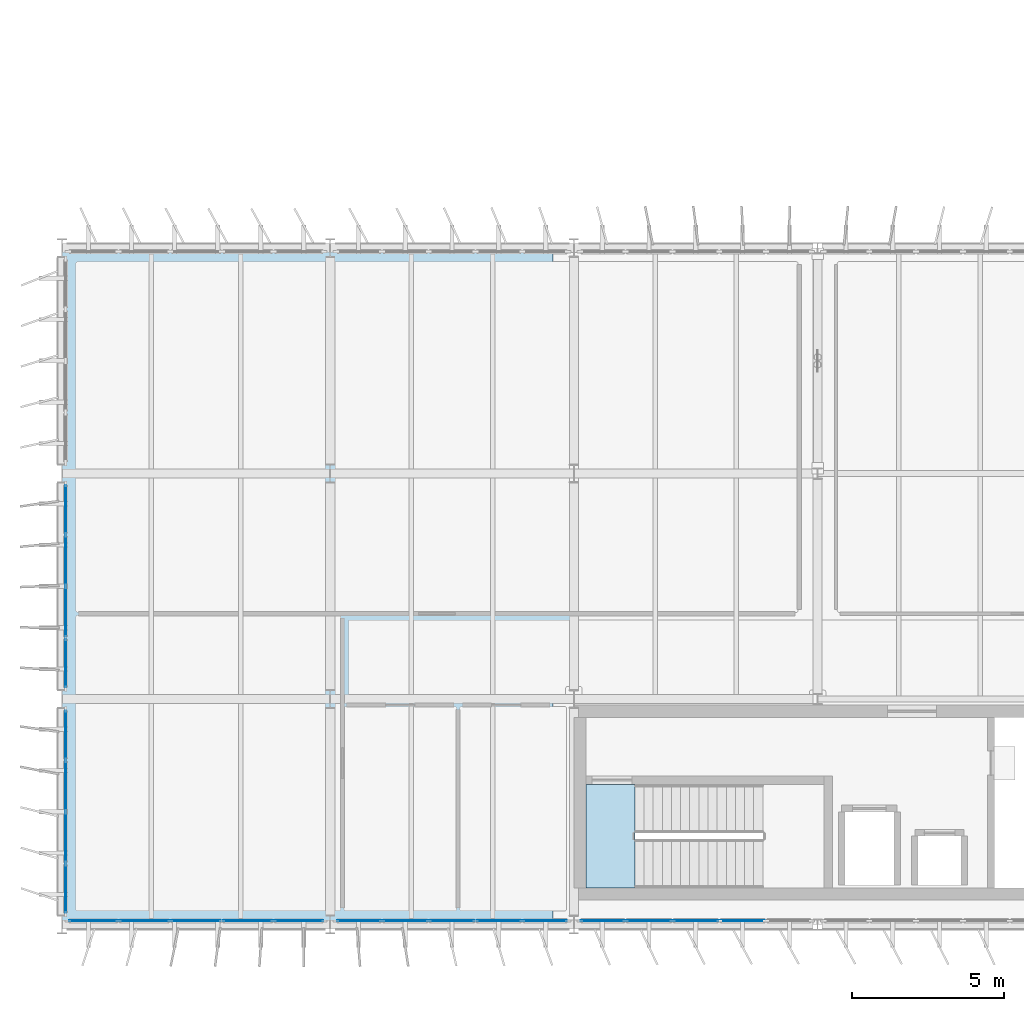
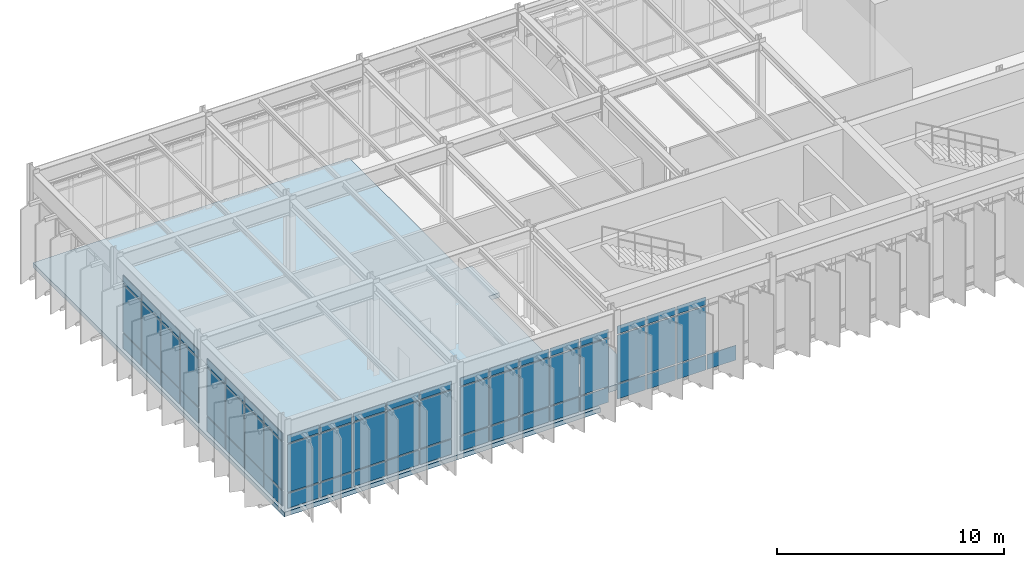
# One storey, part 25 of 48: 64 plates, 2 slabs, 5 elements without a shape of their own.
"""IFC4 building model written with IfcOpenShell, lengths in metres."""

from ifc_helpers import new_model, si_unit, direction, frame, origin, origin_2d, place, context, subcontext, project, spatial, polyline, rectangle, outline, extrude, material, layer, layer_set, type_object, element, aggregate, save


model = new_model("IFC4")

# Units and contexts
model_context = context("Model", 3, precision=1e-05, world=origin(), true_north=direction((0.0, 1.0)))
body_context = subcontext(model_context, "Body", "Model", "MODEL_VIEW")
ifc_project = project(units=[si_unit("LENGTHUNIT", "METRE"), si_unit("AREAUNIT", "SQUARE_METRE"), si_unit("VOLUMEUNIT", "CUBIC_METRE"), si_unit("PLANEANGLEUNIT", "RADIAN"), si_unit("MASSUNIT", "GRAM", prefix="KILO")], contexts=[model_context])

# Site, building, storey
site_placement = place(None, origin())
site = spatial("IfcSite", under=ifc_project, at=site_placement, CompositionType="ELEMENT")
building_placement = place(site_placement, origin())
building = spatial("IfcBuilding", under=site, at=building_placement, Name="Valkorina Park Police Headquarters", CompositionType="ELEMENT")
storey_placement = place(building_placement, frame((0.0, 0.0, 18.10009765625)))
storey = spatial("IfcBuildingStorey", under=building, at=storey_placement, Name="L05", CompositionType="ELEMENT", Elevation=18.10009765625)

# Curtain wall, plates
ifc_material_1 = material(Name="Thermally broken aluminium AW-6060", Category="aluminium")
ifc_layer_1 = layer(ifc_material_1, 0.18994140625)
ifc_layer_set_1 = layer_set([ifc_layer_1], Name="Thermally broken aluminium AW-6060")
curtain_wall_type_1 = type_object("IfcCurtainWallType", Name="CW-V5-7680x4070", PredefinedType="NOTDEFINED", material=ifc_layer_set_1)
curtain_wall_1_placement = place(storey_placement, origin())
curtain_wall_1 = element("IfcCurtainWall", 1, at=curtain_wall_1_placement, inside=storey, type_object=curtain_wall_type_1, Name="L05 Unitised Curtain Wall 072", PredefinedType="NOTDEFINED")
ifc_layer_2 = layer(ifc_material_1, 0.050048828125)
ifc_layer_set_2 = layer_set([ifc_layer_2], Name="Thermally broken aluminium AW-6060")
plate_type_1 = type_object("IfcPlateType", Name="PL-CWP-SPANDREL-50", PredefinedType="CURTAIN_PANEL", material=ifc_layer_set_2)
plate_1_placement = place(storey_placement, frame((22.3359375, 37.1201171875, 0.06982421875), z_axis=(0.0, 0.0, 1.0), x_axis=(-1.0, 0.0, 0.0)))
plate_1 = element("IfcPlate", 2, at=plate_1_placement, type_object=plate_type_1, Name="CW-V5-768-407 panel 2.1", PredefinedType="CURTAIN_PANEL", context=body_context, shape_type="SweptSolid", body=[
    extrude(rectangle(XDim=1.466064453125, YDim=0.028076171875, at=origin_2d()), origin(), (0.0, 0.0, 1.0), 0.794921875),
])
plate_2_placement = place(storey_placement, frame((20.800048828125, 37.1201171875, 0.06982421875), z_axis=(0.0, 0.0, 1.0), x_axis=(-1.0, 0.0, 0.0)))
plate_2 = element("IfcPlate", 3, at=plate_2_placement, type_object=plate_type_1, Name="CW-V5-768-407 panel 3.1", PredefinedType="CURTAIN_PANEL", context=body_context, shape_type="SweptSolid", body=[
    extrude(rectangle(XDim=1.466064453125, YDim=0.028076171875, at=origin_2d()), origin(), (0.0, 0.0, 1.0), 0.794921875),
])
plate_3_placement = place(storey_placement, frame((19.263916015625, 37.1201171875, 0.06982421875), z_axis=(0.0, 0.0, 1.0), x_axis=(-1.0, 0.0, 0.0)))
plate_3 = element("IfcPlate", 4, at=plate_3_placement, type_object=plate_type_1, Name="CW-V5-768-407 panel 4.1", PredefinedType="CURTAIN_PANEL", context=body_context, shape_type="SweptSolid", body=[
    extrude(rectangle(XDim=1.466064453125, YDim=0.028076171875, at=origin_2d()), origin(), (0.0, 0.0, 1.0), 0.794921875),
])
plate_4_placement = place(storey_placement, frame((17.74560546875, 37.1201171875, 0.06982421875), z_axis=(0.0, 0.0, 1.0), x_axis=(-1.0, 0.0, 0.0)))
plate_4 = element("IfcPlate", 5, at=plate_4_placement, type_object=plate_type_1, Name="CW-V5-768-407 panel 5.1", PredefinedType="CURTAIN_PANEL", context=body_context, shape_type="SweptSolid", body=[
    extrude(rectangle(XDim=1.430908203125, YDim=0.028076171875, at=origin_2d()), origin(), (0.0, 0.0, 1.0), 0.794921875),
])

curtain_wall_2_placement = place(storey_placement, origin())
curtain_wall_2 = element("IfcCurtainWall", 6, at=curtain_wall_2_placement, inside=storey, type_object=curtain_wall_type_1, Name="L05 Unitised Curtain Wall 073", PredefinedType="NOTDEFINED")
plate_5_placement = place(storey_placement, frame((15.8544921875, 37.1201171875, 0.06982421875), z_axis=(0.0, 0.0, 1.0), x_axis=(-1.0, 0.0, 0.0)))
plate_5 = element("IfcPlate", 7, at=plate_5_placement, type_object=plate_type_1, Name="CW-V5-768-407 panel 1.1", PredefinedType="CURTAIN_PANEL", context=body_context, shape_type="SweptSolid", body=[
    extrude(rectangle(XDim=1.430908203125, YDim=0.028076171875, at=origin_2d()), origin(), (0.0, 0.0, 1.0), 0.794921875),
])
plate_6_placement = place(storey_placement, frame((14.3359375, 37.1201171875, 0.06982421875), z_axis=(0.0, 0.0, 1.0), x_axis=(-1.0, 0.0, 0.0)))
plate_6 = element("IfcPlate", 8, at=plate_6_placement, type_object=plate_type_1, Name="CW-V5-768-407 panel 2.1", PredefinedType="CURTAIN_PANEL", context=body_context, shape_type="SweptSolid", body=[
    extrude(rectangle(XDim=1.466064453125, YDim=0.028076171875, at=origin_2d()), origin(), (0.0, 0.0, 1.0), 0.794921875),
])
plate_7_placement = place(storey_placement, frame((12.800048828125, 37.1201171875, 0.06982421875), z_axis=(0.0, 0.0, 1.0), x_axis=(-1.0, 0.0, 0.0)))
plate_7 = element("IfcPlate", 9, at=plate_7_placement, type_object=plate_type_1, Name="CW-V5-768-407 panel 3.1", PredefinedType="CURTAIN_PANEL", context=body_context, shape_type="SweptSolid", body=[
    extrude(rectangle(XDim=1.466064453125, YDim=0.028076171875, at=origin_2d()), origin(), (0.0, 0.0, 1.0), 0.794921875),
])
plate_8_placement = place(storey_placement, frame((11.263916015625, 37.1201171875, 0.06982421875), z_axis=(0.0, 0.0, 1.0), x_axis=(-1.0, 0.0, 0.0)))
plate_8 = element("IfcPlate", 10, at=plate_8_placement, type_object=plate_type_1, Name="CW-V5-768-407 panel 4.1", PredefinedType="CURTAIN_PANEL", context=body_context, shape_type="SweptSolid", body=[
    extrude(rectangle(XDim=1.466064453125, YDim=0.028076171875, at=origin_2d()), origin(), (0.0, 0.0, 1.0), 0.794921875),
])
plate_9_placement = place(storey_placement, frame((9.74560546875, 37.1201171875, 0.06982421875), z_axis=(0.0, 0.0, 1.0), x_axis=(-1.0, 0.0, 0.0)))
plate_9 = element("IfcPlate", 11, at=plate_9_placement, type_object=plate_type_1, Name="CW-V5-768-407 panel 5.1", PredefinedType="CURTAIN_PANEL", context=body_context, shape_type="SweptSolid", body=[
    extrude(rectangle(XDim=1.430908203125, YDim=0.028076171875, at=origin_2d()), origin(), (0.0, 0.0, 1.0), 0.794921875),
])

ifc_layer_3 = layer(ifc_material_1, 0.18994140625)
ifc_layer_set_3 = layer_set([ifc_layer_3], Name="Thermally broken aluminium AW-6060")
curtain_wall_type_2 = type_object("IfcCurtainWallType", Name="CW-V5-8480x4070", PredefinedType="NOTDEFINED", material=ifc_layer_set_3)
curtain_wall_3_placement = place(storey_placement, origin())
curtain_wall_3 = element("IfcCurtainWall", 12, at=curtain_wall_3_placement, inside=storey, type_object=curtain_wall_type_2, Name="L05 Unitised Curtain Wall 074", PredefinedType="NOTDEFINED")
plate_10_placement = place(storey_placement, frame((7.7744140625, 37.1201171875, 0.06982421875), z_axis=(0.0, 0.0, 1.0), x_axis=(-1.0, 0.0, 0.0)))
plate_10 = element("IfcPlate", 13, at=plate_10_placement, type_object=plate_type_1, Name="CW-V5-848-407 panel 1.1", PredefinedType="CURTAIN_PANEL", context=body_context, shape_type="SweptSolid", body=[
    extrude(rectangle(XDim=1.591064453125, YDim=0.028076171875, at=origin_2d()), origin(), (0.0, 0.0, 1.0), 0.794921875),
])
plate_11_placement = place(storey_placement, frame((6.095947265625, 37.1201171875, 0.06982421875), z_axis=(0.0, 0.0, 1.0), x_axis=(-1.0, 0.0, 0.0)))
plate_11 = element("IfcPlate", 14, at=plate_11_placement, type_object=plate_type_1, Name="CW-V5-848-407 panel 2.1", PredefinedType="CURTAIN_PANEL", context=body_context, shape_type="SweptSolid", body=[
    extrude(rectangle(XDim=1.6259765625, YDim=0.028076171875, at=origin_2d()), origin(), (0.0, 0.0, 1.0), 0.794921875),
])
plate_12_placement = place(storey_placement, frame((4.39990234375, 37.1201171875, 0.06982421875), z_axis=(0.0, 0.0, 1.0), x_axis=(-1.0, 0.0, 0.0)))
plate_12 = element("IfcPlate", 15, at=plate_12_placement, type_object=plate_type_1, Name="CW-V5-848-407 panel 3.1", PredefinedType="CURTAIN_PANEL", context=body_context, shape_type="SweptSolid", body=[
    extrude(rectangle(XDim=1.6259765625, YDim=0.028076171875, at=origin_2d()), origin(), (0.0, 0.0, 1.0), 0.794921875),
])
plate_13_placement = place(storey_placement, frame((2.7041015625, 37.1201171875, 0.06982421875), z_axis=(0.0, 0.0, 1.0), x_axis=(-1.0, 0.0, 0.0)))
plate_13 = element("IfcPlate", 16, at=plate_13_placement, type_object=plate_type_1, Name="CW-V5-848-407 panel 4.1", PredefinedType="CURTAIN_PANEL", context=body_context, shape_type="SweptSolid", body=[
    extrude(rectangle(XDim=1.6259765625, YDim=0.028076171875, at=origin_2d()), origin(), (0.0, 0.0, 1.0), 0.794921875),
])
plate_14_placement = place(storey_placement, frame((1.025390625, 37.1201171875, 0.06982421875), z_axis=(0.0, 0.0, 1.0), x_axis=(-1.0, 0.0, 0.0)))
plate_14 = element("IfcPlate", 17, at=plate_14_placement, type_object=plate_type_1, Name="CW-V5-848-407 panel 5.1", PredefinedType="CURTAIN_PANEL", context=body_context, shape_type="SweptSolid", body=[
    extrude(rectangle(XDim=1.591064453125, YDim=0.028076171875, at=origin_2d()), origin(), (0.0, 0.0, 1.0), 0.794921875),
])

ifc_layer_4 = layer(ifc_material_1, 0.18994140625)
ifc_layer_set_4 = layer_set([ifc_layer_4], Name="Thermally broken aluminium AW-6060")
curtain_wall_type_3 = type_object("IfcCurtainWallType", Name="CW-V5-6780x4070", PredefinedType="NOTDEFINED", material=ifc_layer_set_4)
curtain_wall_4_placement = place(storey_placement, origin())
curtain_wall_4 = element("IfcCurtainWall", 18, at=curtain_wall_4_placement, inside=storey, type_object=curtain_wall_type_3, Name="L05 Unitised Curtain Wall 075", PredefinedType="NOTDEFINED")
plate_15_placement = place(storey_placement, frame((0.1201171875, 38.175048828125, 0.06982421875), z_axis=(0.0, 0.0, 1.0), x_axis=(0.0, 1.0, 0.0)))
plate_15 = element("IfcPlate", 19, at=plate_15_placement, type_object=plate_type_1, Name="CW-V5-678-407 panel 1.1", PredefinedType="CURTAIN_PANEL", context=body_context, shape_type="SweptSolid", body=[
    extrude(rectangle(XDim=1.590087890625, YDim=0.028076171875, at=origin_2d()), origin(), (0.0, 0.0, 1.0), 0.794921875),
])
plate_16_placement = place(storey_placement, frame((0.1201171875, 39.8525390625, 0.06982421875), z_axis=(0.0, 0.0, 1.0), x_axis=(0.0, 1.0, 0.0)))
plate_16 = element("IfcPlate", 20, at=plate_16_placement, type_object=plate_type_1, Name="CW-V5-678-407 panel 2.1", PredefinedType="CURTAIN_PANEL", context=body_context, shape_type="SweptSolid", body=[
    extrude(rectangle(XDim=1.625, YDim=0.028076171875, at=origin_2d()), origin(), (0.0, 0.0, 1.0), 0.794921875),
])
plate_17_placement = place(storey_placement, frame((0.1201171875, 41.547607421875, 0.06982421875), z_axis=(0.0, 0.0, 1.0), x_axis=(0.0, 1.0, 0.0)))
plate_17 = element("IfcPlate", 21, at=plate_17_placement, type_object=plate_type_1, Name="CW-V5-678-407 panel 3.1", PredefinedType="CURTAIN_PANEL", context=body_context, shape_type="SweptSolid", body=[
    extrude(rectangle(XDim=1.625, YDim=0.028076171875, at=origin_2d()), origin(), (0.0, 0.0, 1.0), 0.794921875),
])
plate_18_placement = place(storey_placement, frame((0.1201171875, 43.22509765625, 0.06982421875), z_axis=(0.0, 0.0, 1.0), x_axis=(0.0, 1.0, 0.0)))
plate_18 = element("IfcPlate", 22, at=plate_18_placement, type_object=plate_type_1, Name="CW-V5-678-407 panel 4.1", PredefinedType="CURTAIN_PANEL", context=body_context, shape_type="SweptSolid", body=[
    extrude(rectangle(XDim=1.590087890625, YDim=0.028076171875, at=origin_2d()), origin(), (0.0, 0.0, 1.0), 0.794921875),
])

curtain_wall_5_placement = place(storey_placement, origin())
curtain_wall_5 = element("IfcCurtainWall", 23, at=curtain_wall_5_placement, inside=storey, type_object=curtain_wall_type_3, Name="L05 Unitised Curtain Wall 076", PredefinedType="NOTDEFINED")
plate_19_placement = place(storey_placement, frame((0.1201171875, 45.574951171875, 0.06982421875), z_axis=(0.0, 0.0, 1.0), x_axis=(0.0, 1.0, 0.0)))
plate_19 = element("IfcPlate", 24, at=plate_19_placement, type_object=plate_type_1, Name="CW-V5-678-407 panel 1.1", PredefinedType="CURTAIN_PANEL", context=body_context, shape_type="SweptSolid", body=[
    extrude(rectangle(XDim=1.590087890625, YDim=0.028076171875, at=origin_2d()), origin(), (0.0, 0.0, 1.0), 0.794921875),
])
plate_20_placement = place(storey_placement, frame((0.1201171875, 47.25244140625, 0.06982421875), z_axis=(0.0, 0.0, 1.0), x_axis=(0.0, 1.0, 0.0)))
plate_20 = element("IfcPlate", 25, at=plate_20_placement, type_object=plate_type_1, Name="CW-V5-678-407 panel 2.1", PredefinedType="CURTAIN_PANEL", context=body_context, shape_type="SweptSolid", body=[
    extrude(rectangle(XDim=1.625, YDim=0.028076171875, at=origin_2d()), origin(), (0.0, 0.0, 1.0), 0.794921875),
])
plate_21_placement = place(storey_placement, frame((0.1201171875, 48.947509765625, 0.06982421875), z_axis=(0.0, 0.0, 1.0), x_axis=(0.0, 1.0, 0.0)))
plate_21 = element("IfcPlate", 26, at=plate_21_placement, type_object=plate_type_1, Name="CW-V5-678-407 panel 3.1", PredefinedType="CURTAIN_PANEL", context=body_context, shape_type="SweptSolid", body=[
    extrude(rectangle(XDim=1.625, YDim=0.028076171875, at=origin_2d()), origin(), (0.0, 0.0, 1.0), 0.794921875),
])
plate_22_placement = place(storey_placement, frame((0.1201171875, 50.625, 0.06982421875), z_axis=(0.0, 0.0, 1.0), x_axis=(0.0, 1.0, 0.0)))
plate_22 = element("IfcPlate", 27, at=plate_22_placement, type_object=plate_type_1, Name="CW-V5-678-407 panel 4.1", PredefinedType="CURTAIN_PANEL", context=body_context, shape_type="SweptSolid", body=[
    extrude(rectangle(XDim=1.590087890625, YDim=0.028076171875, at=origin_2d()), origin(), (0.0, 0.0, 1.0), 0.794921875),
])

# Plate
ifc_material_2 = material(Name="Triple low-E insulated glazing", Category="glass")
ifc_layer_5 = layer(ifc_material_2, 0.028076171875)
ifc_layer_set_5 = layer_set([ifc_layer_5], Name="Triple low-E insulated glazing")
plate_type_2 = type_object("IfcPlateType", Name="PL-CWP-VISION-28", PredefinedType="CURTAIN_PANEL", material=ifc_layer_set_5)
plate_23_placement = place(storey_placement, frame((20.800048828125, 37.1201171875, 0.934814453125), z_axis=(0.0, 0.0, 1.0), x_axis=(-1.0, 0.0, 0.0)))
plate_23 = element("IfcPlate", 28, at=plate_23_placement, type_object=plate_type_2, Name="CW-V5-768-407 panel 3.2", PredefinedType="CURTAIN_PANEL", context=body_context, shape_type="SweptSolid", body=[
    extrude(rectangle(XDim=1.466064453125, YDim=0.028076171875, at=origin_2d()), origin(), (0.0, 0.0, 1.0), 2.580078125),
])

plate_24_placement = place(storey_placement, frame((20.800048828125, 37.1201171875, 3.5849609375), z_axis=(0.0, 0.0, 1.0), x_axis=(-1.0, 0.0, 0.0)))
plate_24 = element("IfcPlate", 29, at=plate_24_placement, type_object=plate_type_2, Name="CW-V5-768-407 panel 3.3", PredefinedType="CURTAIN_PANEL", context=body_context, shape_type="SweptSolid", body=[
    extrude(rectangle(XDim=1.466064453125, YDim=0.028076171875, at=origin_2d()), origin(), (0.0, 0.0, 1.0), 0.4150390625),
])

plate_25_placement = place(storey_placement, frame((19.263916015625, 37.1201171875, 0.934814453125), z_axis=(0.0, 0.0, 1.0), x_axis=(-1.0, 0.0, 0.0)))
plate_25 = element("IfcPlate", 30, at=plate_25_placement, type_object=plate_type_2, Name="CW-V5-768-407 panel 4.2", PredefinedType="CURTAIN_PANEL", context=body_context, shape_type="SweptSolid", body=[
    extrude(rectangle(XDim=1.466064453125, YDim=0.028076171875, at=origin_2d()), origin(), (0.0, 0.0, 1.0), 2.580078125),
])

plate_26_placement = place(storey_placement, frame((19.263916015625, 37.1201171875, 3.5849609375), z_axis=(0.0, 0.0, 1.0), x_axis=(-1.0, 0.0, 0.0)))
plate_26 = element("IfcPlate", 31, at=plate_26_placement, type_object=plate_type_2, Name="CW-V5-768-407 panel 4.3", PredefinedType="CURTAIN_PANEL", context=body_context, shape_type="SweptSolid", body=[
    extrude(rectangle(XDim=1.466064453125, YDim=0.028076171875, at=origin_2d()), origin(), (0.0, 0.0, 1.0), 0.4150390625),
])

plate_27_placement = place(storey_placement, frame((17.74560546875, 37.1201171875, 0.934814453125), z_axis=(0.0, 0.0, 1.0), x_axis=(-1.0, 0.0, 0.0)))
plate_27 = element("IfcPlate", 32, at=plate_27_placement, type_object=plate_type_2, Name="CW-V5-768-407 panel 5.2", PredefinedType="CURTAIN_PANEL", context=body_context, shape_type="SweptSolid", body=[
    extrude(rectangle(XDim=1.430908203125, YDim=0.028076171875, at=origin_2d()), origin(), (0.0, 0.0, 1.0), 2.580078125),
])

plate_28_placement = place(storey_placement, frame((17.74560546875, 37.1201171875, 3.5849609375), z_axis=(0.0, 0.0, 1.0), x_axis=(-1.0, 0.0, 0.0)))
plate_28 = element("IfcPlate", 33, at=plate_28_placement, type_object=plate_type_2, Name="CW-V5-768-407 panel 5.3", PredefinedType="CURTAIN_PANEL", context=body_context, shape_type="SweptSolid", body=[
    extrude(rectangle(XDim=1.430908203125, YDim=0.028076171875, at=origin_2d()), origin(), (0.0, 0.0, 1.0), 0.4150390625),
])

aggregate(curtain_wall_1, [plate_1, plate_2, plate_23, plate_24, plate_3, plate_25, plate_26, plate_4, plate_27, plate_28])

plate_29_placement = place(storey_placement, frame((15.8544921875, 37.1201171875, 0.934814453125), z_axis=(0.0, 0.0, 1.0), x_axis=(-1.0, 0.0, 0.0)))
plate_29 = element("IfcPlate", 34, at=plate_29_placement, type_object=plate_type_2, Name="CW-V5-768-407 panel 1.2", PredefinedType="CURTAIN_PANEL", context=body_context, shape_type="SweptSolid", body=[
    extrude(rectangle(XDim=1.430908203125, YDim=0.028076171875, at=origin_2d()), origin(), (0.0, 0.0, 1.0), 2.580078125),
])

plate_30_placement = place(storey_placement, frame((15.8544921875, 37.1201171875, 3.5849609375), z_axis=(0.0, 0.0, 1.0), x_axis=(-1.0, 0.0, 0.0)))
plate_30 = element("IfcPlate", 35, at=plate_30_placement, type_object=plate_type_2, Name="CW-V5-768-407 panel 1.3", PredefinedType="CURTAIN_PANEL", context=body_context, shape_type="SweptSolid", body=[
    extrude(rectangle(XDim=1.430908203125, YDim=0.028076171875, at=origin_2d()), origin(), (0.0, 0.0, 1.0), 0.4150390625),
])

plate_31_placement = place(storey_placement, frame((14.3359375, 37.1201171875, 0.934814453125), z_axis=(0.0, 0.0, 1.0), x_axis=(-1.0, 0.0, 0.0)))
plate_31 = element("IfcPlate", 36, at=plate_31_placement, type_object=plate_type_2, Name="CW-V5-768-407 panel 2.2", PredefinedType="CURTAIN_PANEL", context=body_context, shape_type="SweptSolid", body=[
    extrude(rectangle(XDim=1.466064453125, YDim=0.028076171875, at=origin_2d()), origin(), (0.0, 0.0, 1.0), 2.580078125),
])

plate_32_placement = place(storey_placement, frame((14.3359375, 37.1201171875, 3.5849609375), z_axis=(0.0, 0.0, 1.0), x_axis=(-1.0, 0.0, 0.0)))
plate_32 = element("IfcPlate", 37, at=plate_32_placement, type_object=plate_type_2, Name="CW-V5-768-407 panel 2.3", PredefinedType="CURTAIN_PANEL", context=body_context, shape_type="SweptSolid", body=[
    extrude(rectangle(XDim=1.466064453125, YDim=0.028076171875, at=origin_2d()), origin(), (0.0, 0.0, 1.0), 0.4150390625),
])

plate_33_placement = place(storey_placement, frame((12.800048828125, 37.1201171875, 0.934814453125), z_axis=(0.0, 0.0, 1.0), x_axis=(-1.0, 0.0, 0.0)))
plate_33 = element("IfcPlate", 38, at=plate_33_placement, type_object=plate_type_2, Name="CW-V5-768-407 panel 3.2", PredefinedType="CURTAIN_PANEL", context=body_context, shape_type="SweptSolid", body=[
    extrude(rectangle(XDim=1.466064453125, YDim=0.028076171875, at=origin_2d()), origin(), (0.0, 0.0, 1.0), 2.580078125),
])

plate_34_placement = place(storey_placement, frame((12.800048828125, 37.1201171875, 3.5849609375), z_axis=(0.0, 0.0, 1.0), x_axis=(-1.0, 0.0, 0.0)))
plate_34 = element("IfcPlate", 39, at=plate_34_placement, type_object=plate_type_2, Name="CW-V5-768-407 panel 3.3", PredefinedType="CURTAIN_PANEL", context=body_context, shape_type="SweptSolid", body=[
    extrude(rectangle(XDim=1.466064453125, YDim=0.028076171875, at=origin_2d()), origin(), (0.0, 0.0, 1.0), 0.4150390625),
])

plate_35_placement = place(storey_placement, frame((11.263916015625, 37.1201171875, 0.934814453125), z_axis=(0.0, 0.0, 1.0), x_axis=(-1.0, 0.0, 0.0)))
plate_35 = element("IfcPlate", 40, at=plate_35_placement, type_object=plate_type_2, Name="CW-V5-768-407 panel 4.2", PredefinedType="CURTAIN_PANEL", context=body_context, shape_type="SweptSolid", body=[
    extrude(rectangle(XDim=1.466064453125, YDim=0.028076171875, at=origin_2d()), origin(), (0.0, 0.0, 1.0), 2.580078125),
])

plate_36_placement = place(storey_placement, frame((11.263916015625, 37.1201171875, 3.5849609375), z_axis=(0.0, 0.0, 1.0), x_axis=(-1.0, 0.0, 0.0)))
plate_36 = element("IfcPlate", 41, at=plate_36_placement, type_object=plate_type_2, Name="CW-V5-768-407 panel 4.3", PredefinedType="CURTAIN_PANEL", context=body_context, shape_type="SweptSolid", body=[
    extrude(rectangle(XDim=1.466064453125, YDim=0.028076171875, at=origin_2d()), origin(), (0.0, 0.0, 1.0), 0.4150390625),
])

plate_37_placement = place(storey_placement, frame((9.74560546875, 37.1201171875, 0.934814453125), z_axis=(0.0, 0.0, 1.0), x_axis=(-1.0, 0.0, 0.0)))
plate_37 = element("IfcPlate", 42, at=plate_37_placement, type_object=plate_type_2, Name="CW-V5-768-407 panel 5.2", PredefinedType="CURTAIN_PANEL", context=body_context, shape_type="SweptSolid", body=[
    extrude(rectangle(XDim=1.430908203125, YDim=0.028076171875, at=origin_2d()), origin(), (0.0, 0.0, 1.0), 2.580078125),
])

plate_38_placement = place(storey_placement, frame((9.74560546875, 37.1201171875, 3.5849609375), z_axis=(0.0, 0.0, 1.0), x_axis=(-1.0, 0.0, 0.0)))
plate_38 = element("IfcPlate", 43, at=plate_38_placement, type_object=plate_type_2, Name="CW-V5-768-407 panel 5.3", PredefinedType="CURTAIN_PANEL", context=body_context, shape_type="SweptSolid", body=[
    extrude(rectangle(XDim=1.430908203125, YDim=0.028076171875, at=origin_2d()), origin(), (0.0, 0.0, 1.0), 0.4150390625),
])

aggregate(curtain_wall_2, [plate_5, plate_29, plate_30, plate_6, plate_31, plate_32, plate_7, plate_33, plate_34, plate_8, plate_35, plate_36, plate_9, plate_37, plate_38])

plate_39_placement = place(storey_placement, frame((7.7744140625, 37.1201171875, 0.934814453125), z_axis=(0.0, 0.0, 1.0), x_axis=(-1.0, 0.0, 0.0)))
plate_39 = element("IfcPlate", 44, at=plate_39_placement, type_object=plate_type_2, Name="CW-V5-848-407 panel 1.2", PredefinedType="CURTAIN_PANEL", context=body_context, shape_type="SweptSolid", body=[
    extrude(rectangle(XDim=1.591064453125, YDim=0.028076171875, at=origin_2d()), origin(), (0.0, 0.0, 1.0), 2.580078125),
])

plate_40_placement = place(storey_placement, frame((7.7744140625, 37.1201171875, 3.5849609375), z_axis=(0.0, 0.0, 1.0), x_axis=(-1.0, 0.0, 0.0)))
plate_40 = element("IfcPlate", 45, at=plate_40_placement, type_object=plate_type_2, Name="CW-V5-848-407 panel 1.3", PredefinedType="CURTAIN_PANEL", context=body_context, shape_type="SweptSolid", body=[
    extrude(rectangle(XDim=1.591064453125, YDim=0.028076171875, at=origin_2d()), origin(), (0.0, 0.0, 1.0), 0.4150390625),
])

plate_41_placement = place(storey_placement, frame((6.095947265625, 37.1201171875, 0.934814453125), z_axis=(0.0, 0.0, 1.0), x_axis=(-1.0, 0.0, 0.0)))
plate_41 = element("IfcPlate", 46, at=plate_41_placement, type_object=plate_type_2, Name="CW-V5-848-407 panel 2.2", PredefinedType="CURTAIN_PANEL", context=body_context, shape_type="SweptSolid", body=[
    extrude(rectangle(XDim=1.6259765625, YDim=0.028076171875, at=origin_2d()), origin(), (0.0, 0.0, 1.0), 2.580078125),
])

plate_42_placement = place(storey_placement, frame((6.095947265625, 37.1201171875, 3.5849609375), z_axis=(0.0, 0.0, 1.0), x_axis=(-1.0, 0.0, 0.0)))
plate_42 = element("IfcPlate", 47, at=plate_42_placement, type_object=plate_type_2, Name="CW-V5-848-407 panel 2.3", PredefinedType="CURTAIN_PANEL", context=body_context, shape_type="SweptSolid", body=[
    extrude(rectangle(XDim=1.6259765625, YDim=0.028076171875, at=origin_2d()), origin(), (0.0, 0.0, 1.0), 0.4150390625),
])

plate_43_placement = place(storey_placement, frame((4.39990234375, 37.1201171875, 0.934814453125), z_axis=(0.0, 0.0, 1.0), x_axis=(-1.0, 0.0, 0.0)))
plate_43 = element("IfcPlate", 48, at=plate_43_placement, type_object=plate_type_2, Name="CW-V5-848-407 panel 3.2", PredefinedType="CURTAIN_PANEL", context=body_context, shape_type="SweptSolid", body=[
    extrude(rectangle(XDim=1.6259765625, YDim=0.028076171875, at=origin_2d()), origin(), (0.0, 0.0, 1.0), 2.580078125),
])

plate_44_placement = place(storey_placement, frame((4.39990234375, 37.1201171875, 3.5849609375), z_axis=(0.0, 0.0, 1.0), x_axis=(-1.0, 0.0, 0.0)))
plate_44 = element("IfcPlate", 49, at=plate_44_placement, type_object=plate_type_2, Name="CW-V5-848-407 panel 3.3", PredefinedType="CURTAIN_PANEL", context=body_context, shape_type="SweptSolid", body=[
    extrude(rectangle(XDim=1.6259765625, YDim=0.028076171875, at=origin_2d()), origin(), (0.0, 0.0, 1.0), 0.4150390625),
])

plate_45_placement = place(storey_placement, frame((2.7041015625, 37.1201171875, 0.934814453125), z_axis=(0.0, 0.0, 1.0), x_axis=(-1.0, 0.0, 0.0)))
plate_45 = element("IfcPlate", 50, at=plate_45_placement, type_object=plate_type_2, Name="CW-V5-848-407 panel 4.2", PredefinedType="CURTAIN_PANEL", context=body_context, shape_type="SweptSolid", body=[
    extrude(rectangle(XDim=1.6259765625, YDim=0.028076171875, at=origin_2d()), origin(), (0.0, 0.0, 1.0), 2.580078125),
])

plate_46_placement = place(storey_placement, frame((2.7041015625, 37.1201171875, 3.5849609375), z_axis=(0.0, 0.0, 1.0), x_axis=(-1.0, 0.0, 0.0)))
plate_46 = element("IfcPlate", 51, at=plate_46_placement, type_object=plate_type_2, Name="CW-V5-848-407 panel 4.3", PredefinedType="CURTAIN_PANEL", context=body_context, shape_type="SweptSolid", body=[
    extrude(rectangle(XDim=1.6259765625, YDim=0.028076171875, at=origin_2d()), origin(), (0.0, 0.0, 1.0), 0.4150390625),
])

plate_47_placement = place(storey_placement, frame((1.025390625, 37.1201171875, 0.934814453125), z_axis=(0.0, 0.0, 1.0), x_axis=(-1.0, 0.0, 0.0)))
plate_47 = element("IfcPlate", 52, at=plate_47_placement, type_object=plate_type_2, Name="CW-V5-848-407 panel 5.2", PredefinedType="CURTAIN_PANEL", context=body_context, shape_type="SweptSolid", body=[
    extrude(rectangle(XDim=1.591064453125, YDim=0.028076171875, at=origin_2d()), origin(), (0.0, 0.0, 1.0), 2.580078125),
])

plate_48_placement = place(storey_placement, frame((1.025390625, 37.1201171875, 3.5849609375), z_axis=(0.0, 0.0, 1.0), x_axis=(-1.0, 0.0, 0.0)))
plate_48 = element("IfcPlate", 53, at=plate_48_placement, type_object=plate_type_2, Name="CW-V5-848-407 panel 5.3", PredefinedType="CURTAIN_PANEL", context=body_context, shape_type="SweptSolid", body=[
    extrude(rectangle(XDim=1.591064453125, YDim=0.028076171875, at=origin_2d()), origin(), (0.0, 0.0, 1.0), 0.4150390625),
])

aggregate(curtain_wall_3, [plate_10, plate_39, plate_40, plate_11, plate_41, plate_42, plate_12, plate_43, plate_44, plate_13, plate_45, plate_46, plate_14, plate_47, plate_48])

plate_49_placement = place(storey_placement, frame((0.1201171875, 38.175048828125, 0.934814453125), z_axis=(0.0, 0.0, 1.0), x_axis=(0.0, 1.0, 0.0)))
plate_49 = element("IfcPlate", 54, at=plate_49_placement, type_object=plate_type_2, Name="CW-V5-678-407 panel 1.2", PredefinedType="CURTAIN_PANEL", context=body_context, shape_type="SweptSolid", body=[
    extrude(rectangle(XDim=1.590087890625, YDim=0.028076171875, at=origin_2d()), origin(), (0.0, 0.0, 1.0), 2.580078125),
])

plate_50_placement = place(storey_placement, frame((0.1201171875, 38.175048828125, 3.5849609375), z_axis=(0.0, 0.0, 1.0), x_axis=(0.0, 1.0, 0.0)))
plate_50 = element("IfcPlate", 55, at=plate_50_placement, type_object=plate_type_2, Name="CW-V5-678-407 panel 1.3", PredefinedType="CURTAIN_PANEL", context=body_context, shape_type="SweptSolid", body=[
    extrude(rectangle(XDim=1.590087890625, YDim=0.028076171875, at=origin_2d()), origin(), (0.0, 0.0, 1.0), 0.4150390625),
])

plate_51_placement = place(storey_placement, frame((0.1201171875, 39.8525390625, 0.934814453125), z_axis=(0.0, 0.0, 1.0), x_axis=(0.0, 1.0, 0.0)))
plate_51 = element("IfcPlate", 56, at=plate_51_placement, type_object=plate_type_2, Name="CW-V5-678-407 panel 2.2", PredefinedType="CURTAIN_PANEL", context=body_context, shape_type="SweptSolid", body=[
    extrude(rectangle(XDim=1.625, YDim=0.028076171875, at=origin_2d()), origin(), (0.0, 0.0, 1.0), 2.580078125),
])

plate_52_placement = place(storey_placement, frame((0.1201171875, 39.8525390625, 3.5849609375), z_axis=(0.0, 0.0, 1.0), x_axis=(0.0, 1.0, 0.0)))
plate_52 = element("IfcPlate", 57, at=plate_52_placement, type_object=plate_type_2, Name="CW-V5-678-407 panel 2.3", PredefinedType="CURTAIN_PANEL", context=body_context, shape_type="SweptSolid", body=[
    extrude(rectangle(XDim=1.625, YDim=0.028076171875, at=origin_2d()), origin(), (0.0, 0.0, 1.0), 0.4150390625),
])

plate_53_placement = place(storey_placement, frame((0.1201171875, 41.547607421875, 0.934814453125), z_axis=(0.0, 0.0, 1.0), x_axis=(0.0, 1.0, 0.0)))
plate_53 = element("IfcPlate", 58, at=plate_53_placement, type_object=plate_type_2, Name="CW-V5-678-407 panel 3.2", PredefinedType="CURTAIN_PANEL", context=body_context, shape_type="SweptSolid", body=[
    extrude(rectangle(XDim=1.625, YDim=0.028076171875, at=origin_2d()), origin(), (0.0, 0.0, 1.0), 2.580078125),
])

plate_54_placement = place(storey_placement, frame((0.1201171875, 41.547607421875, 3.5849609375), z_axis=(0.0, 0.0, 1.0), x_axis=(0.0, 1.0, 0.0)))
plate_54 = element("IfcPlate", 59, at=plate_54_placement, type_object=plate_type_2, Name="CW-V5-678-407 panel 3.3", PredefinedType="CURTAIN_PANEL", context=body_context, shape_type="SweptSolid", body=[
    extrude(rectangle(XDim=1.625, YDim=0.028076171875, at=origin_2d()), origin(), (0.0, 0.0, 1.0), 0.4150390625),
])

plate_55_placement = place(storey_placement, frame((0.1201171875, 43.22509765625, 0.934814453125), z_axis=(0.0, 0.0, 1.0), x_axis=(0.0, 1.0, 0.0)))
plate_55 = element("IfcPlate", 60, at=plate_55_placement, type_object=plate_type_2, Name="CW-V5-678-407 panel 4.2", PredefinedType="CURTAIN_PANEL", context=body_context, shape_type="SweptSolid", body=[
    extrude(rectangle(XDim=1.590087890625, YDim=0.028076171875, at=origin_2d()), origin(), (0.0, 0.0, 1.0), 2.580078125),
])

plate_56_placement = place(storey_placement, frame((0.1201171875, 43.22509765625, 3.5849609375), z_axis=(0.0, 0.0, 1.0), x_axis=(0.0, 1.0, 0.0)))
plate_56 = element("IfcPlate", 61, at=plate_56_placement, type_object=plate_type_2, Name="CW-V5-678-407 panel 4.3", PredefinedType="CURTAIN_PANEL", context=body_context, shape_type="SweptSolid", body=[
    extrude(rectangle(XDim=1.590087890625, YDim=0.028076171875, at=origin_2d()), origin(), (0.0, 0.0, 1.0), 0.4150390625),
])

aggregate(curtain_wall_4, [plate_15, plate_49, plate_50, plate_16, plate_51, plate_52, plate_17, plate_53, plate_54, plate_18, plate_55, plate_56])

plate_57_placement = place(storey_placement, frame((0.1201171875, 45.574951171875, 0.934814453125), z_axis=(0.0, 0.0, 1.0), x_axis=(0.0, 1.0, 0.0)))
plate_57 = element("IfcPlate", 62, at=plate_57_placement, type_object=plate_type_2, Name="CW-V5-678-407 panel 1.2", PredefinedType="CURTAIN_PANEL", context=body_context, shape_type="SweptSolid", body=[
    extrude(rectangle(XDim=1.590087890625, YDim=0.028076171875, at=origin_2d()), origin(), (0.0, 0.0, 1.0), 2.580078125),
])

plate_58_placement = place(storey_placement, frame((0.1201171875, 45.574951171875, 3.5849609375), z_axis=(0.0, 0.0, 1.0), x_axis=(0.0, 1.0, 0.0)))
plate_58 = element("IfcPlate", 63, at=plate_58_placement, type_object=plate_type_2, Name="CW-V5-678-407 panel 1.3", PredefinedType="CURTAIN_PANEL", context=body_context, shape_type="SweptSolid", body=[
    extrude(rectangle(XDim=1.590087890625, YDim=0.028076171875, at=origin_2d()), origin(), (0.0, 0.0, 1.0), 0.4150390625),
])

plate_59_placement = place(storey_placement, frame((0.1201171875, 47.25244140625, 0.934814453125), z_axis=(0.0, 0.0, 1.0), x_axis=(0.0, 1.0, 0.0)))
plate_59 = element("IfcPlate", 64, at=plate_59_placement, type_object=plate_type_2, Name="CW-V5-678-407 panel 2.2", PredefinedType="CURTAIN_PANEL", context=body_context, shape_type="SweptSolid", body=[
    extrude(rectangle(XDim=1.625, YDim=0.028076171875, at=origin_2d()), origin(), (0.0, 0.0, 1.0), 2.580078125),
])

plate_60_placement = place(storey_placement, frame((0.1201171875, 47.25244140625, 3.5849609375), z_axis=(0.0, 0.0, 1.0), x_axis=(0.0, 1.0, 0.0)))
plate_60 = element("IfcPlate", 65, at=plate_60_placement, type_object=plate_type_2, Name="CW-V5-678-407 panel 2.3", PredefinedType="CURTAIN_PANEL", context=body_context, shape_type="SweptSolid", body=[
    extrude(rectangle(XDim=1.625, YDim=0.028076171875, at=origin_2d()), origin(), (0.0, 0.0, 1.0), 0.4150390625),
])

plate_61_placement = place(storey_placement, frame((0.1201171875, 48.947509765625, 0.934814453125), z_axis=(0.0, 0.0, 1.0), x_axis=(0.0, 1.0, 0.0)))
plate_61 = element("IfcPlate", 66, at=plate_61_placement, type_object=plate_type_2, Name="CW-V5-678-407 panel 3.2", PredefinedType="CURTAIN_PANEL", context=body_context, shape_type="SweptSolid", body=[
    extrude(rectangle(XDim=1.625, YDim=0.028076171875, at=origin_2d()), origin(), (0.0, 0.0, 1.0), 2.580078125),
])

plate_62_placement = place(storey_placement, frame((0.1201171875, 48.947509765625, 3.5849609375), z_axis=(0.0, 0.0, 1.0), x_axis=(0.0, 1.0, 0.0)))
plate_62 = element("IfcPlate", 67, at=plate_62_placement, type_object=plate_type_2, Name="CW-V5-678-407 panel 3.3", PredefinedType="CURTAIN_PANEL", context=body_context, shape_type="SweptSolid", body=[
    extrude(rectangle(XDim=1.625, YDim=0.028076171875, at=origin_2d()), origin(), (0.0, 0.0, 1.0), 0.4150390625),
])

plate_63_placement = place(storey_placement, frame((0.1201171875, 50.625, 0.934814453125), z_axis=(0.0, 0.0, 1.0), x_axis=(0.0, 1.0, 0.0)))
plate_63 = element("IfcPlate", 68, at=plate_63_placement, type_object=plate_type_2, Name="CW-V5-678-407 panel 4.2", PredefinedType="CURTAIN_PANEL", context=body_context, shape_type="SweptSolid", body=[
    extrude(rectangle(XDim=1.590087890625, YDim=0.028076171875, at=origin_2d()), origin(), (0.0, 0.0, 1.0), 2.580078125),
])

plate_64_placement = place(storey_placement, frame((0.1201171875, 50.625, 3.5849609375), z_axis=(0.0, 0.0, 1.0), x_axis=(0.0, 1.0, 0.0)))
plate_64 = element("IfcPlate", 69, at=plate_64_placement, type_object=plate_type_2, Name="CW-V5-678-407 panel 4.3", PredefinedType="CURTAIN_PANEL", context=body_context, shape_type="SweptSolid", body=[
    extrude(rectangle(XDim=1.590087890625, YDim=0.028076171875, at=origin_2d()), origin(), (0.0, 0.0, 1.0), 0.4150390625),
])

aggregate(curtain_wall_5, [plate_19, plate_57, plate_58, plate_20, plate_59, plate_60, plate_21, plate_61, plate_62, plate_22, plate_63, plate_64])

# Slabs
ifc_material_3 = material(Name="Concrete C35/45", Category="concrete")
ifc_layer_6 = layer(ifc_material_3, 0.2451171875)
ifc_layer_set_6 = layer_set([ifc_layer_6], Name="Concrete C35/45")
slab_type_1 = type_object("IfcSlabType", Name="SL-COMP-LAB-170", PredefinedType="FLOOR", material=ifc_layer_set_6)
slab_1_placement = place(storey_placement, frame((0.0, 0.0, -0.2451171875)))
element("IfcSlab", 70, at=slab_1_placement, inside=storey, type_object=slab_type_1, Name="L05 Structural Floor Slab 89", PredefinedType="FLOOR", context=body_context, shape_type="SweptSolid", body=[
    extrude(outline(polyline([(16.664306640625, 49.2958984375), (16.1142578125, 49.2958984375), (16.1142578125, 59.19189453125), (0.0, 59.19189453125), (0.0, 37.0), (16.1142578125, 37.0), (16.1142578125, 46.89599609375), (16.664306640625, 46.89599609375), (16.664306640625, 49.2958984375)])), origin(), (0.0, 0.0, 1.0), 0.2451171875),
])
ifc_material_4 = material(Name="Concrete C40/50", Category="concrete")
ifc_layer_7 = layer(ifc_material_4, 0.300048828125)
ifc_layer_set_7 = layer_set([ifc_layer_7], Name="Concrete C40/50")
slab_type_2 = type_object("IfcSlabType", Name="SL-VAULT-300", PredefinedType="FLOOR", material=ifc_layer_set_7)
slab_2_placement = place(storey_placement, frame((0.0, 0.0, -0.300048828125)))
element("IfcSlab", 71, at=slab_2_placement, inside=storey, type_object=slab_type_2, Name="L05 Core C1 Structural Floor Landing Slab", PredefinedType="FLOOR", context=body_context, shape_type="SweptSolid", body=[
    extrude(outline(polyline([(17.199951171875, 38.199951171875), (18.800048828125, 38.199951171875), (18.800048828125, 41.60009765625), (17.199951171875, 41.60009765625), (17.199951171875, 38.199951171875)])), origin(), (0.0, 0.0, 1.0), 0.300048828125),
])

save(model, "model.ifc")
